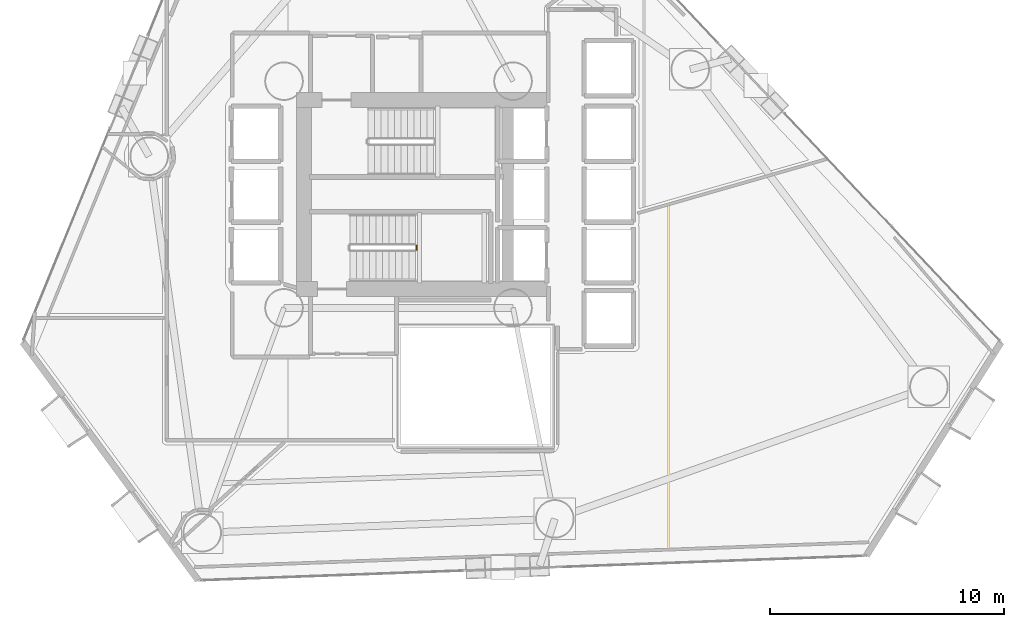
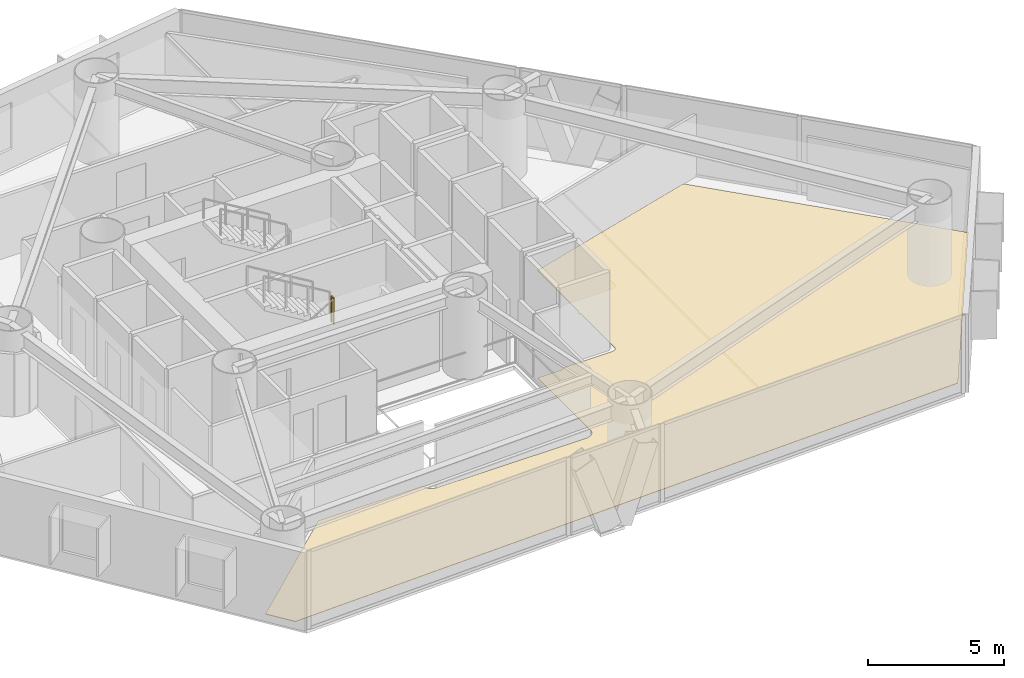
# One storey, part 21 of 23: 1 covering, 1 railing.
"""IFC4 building model written with IfcOpenShell, lengths in metres."""

from ifc_helpers import new_model, si_unit, direction, frame, origin, origin_2d, place, context, subcontext, project, spatial, polyline, rectangle, outline, extrude, material, layer, layer_set, type_object, element, save


model = new_model("IFC4")

# Units and contexts
model_context = context("Model", 3, precision=1e-05, world=origin(), true_north=direction((0.0, 1.0)))
body_context = subcontext(model_context, "Body", "Model", "MODEL_VIEW")
ifc_project = project(units=[si_unit("LENGTHUNIT", "METRE"), si_unit("AREAUNIT", "SQUARE_METRE"), si_unit("VOLUMEUNIT", "CUBIC_METRE"), si_unit("PLANEANGLEUNIT", "RADIAN"), si_unit("MASSUNIT", "GRAM", prefix="KILO")], contexts=[model_context])

# Site, building, storey
site_placement = place(None, origin())
site = spatial("IfcSite", under=ifc_project, at=site_placement, CompositionType="ELEMENT")
building_placement = place(site_placement, origin())
building = spatial("IfcBuilding", under=site, at=building_placement, Name="Qianvela Tower", CompositionType="ELEMENT")
storey_placement = place(building_placement, frame((0.0, 0.0, 52.5)))
storey = spatial("IfcBuildingStorey", under=building, at=storey_placement, Name="L12", CompositionType="ELEMENT", Elevation=52.5)

# Covering
ifc_material_1 = material(Name="Engineered Acoustic Oak Timber Flooring", Category="wood")
ifc_layer = layer(ifc_material_1, 0.02001953125)
ifc_layer_set = layer_set([ifc_layer], Name="Engineered Acoustic Oak Timber Flooring")
covering_type = type_object("IfcCoveringType", Name="COV-FLOOR-OAK-20", PredefinedType="FLOORING", material=ifc_layer_set)
covering_placement = place(storey_placement, origin())
element("IfcCovering", 1, at=covering_placement, inside=storey, type_object=covering_type, Name="L12 Finish Flooring Student Reading Library L12-02", PredefinedType="FLOORING", context=body_context, shape_type="SweptSolid", body=[
    extrude(outline(polyline([(24.10400390625, 13.774169921875), (28.786376953125, 17.989990234375), (33.24609375, 17.989990234375), (33.252197265625, 17.912353515625), (33.25341796875, 17.904296875), (33.25537109375, 17.896240234375), (33.258056640625, 17.888427734375), (33.261474609375, 17.881103515625), (33.31298828125, 17.78466796875), (33.31689453125, 17.77783203125), (33.32177734375, 17.771484375), (33.326904296875, 17.765869140625), (33.332763671875, 17.760498046875), (33.417236328125, 17.691162109375), (33.42431640625, 17.68603515625), (33.431884765625, 17.681640625), (33.440185546875, 17.677978515625), (33.448486328125, 17.675537109375), (33.58056640625, 17.642333984375), (33.5869140625, 17.64111328125), (33.593505859375, 17.640380859375), (33.60009765625, 17.639892578125), (40.0, 17.639892578125), (40.0078125, 17.640380859375), (40.015625, 17.6416015625), (40.023193359375, 17.643310546875), (40.1787109375, 17.690673828125), (40.185546875, 17.693115234375), (40.192138671875, 17.696044921875), (40.198486328125, 17.69970703125), (40.204345703125, 17.70361328125), (40.209716796875, 17.70849609375), (40.21484375, 17.71337890625), (40.30615234375, 17.814208984375), (40.311279296875, 17.8203125), (40.315673828125, 17.826904296875), (40.3193359375, 17.833740234375), (40.322265625, 17.841064453125), (40.324462890625, 17.8486328125), (40.357666015625, 17.980712890625), (40.35888671875, 17.987060546875), (40.359619140625, 17.993408203125), (40.360107421875, 18.0), (40.360107421875, 21.889892578125), (41.367919921875, 21.890380859375), (41.375732421875, 21.890869140625), (41.383544921875, 21.891845703125), (41.39111328125, 21.893798828125), (41.3984375, 21.896484375), (41.405517578125, 21.89990234375), (41.45947265625, 21.9287109375), (41.46630859375, 21.932861328125), (41.472900390625, 21.9375), (41.478759765625, 21.943115234375), (41.48388671875, 21.948974609375), (41.48876953125, 21.955322265625), (41.492919921875, 21.96240234375), (41.49609375, 21.969482421875), (41.498779296875, 21.97705078125), (41.49951171875, 21.97998046875), (43.59375, 21.980712890625), (43.6015625, 21.981201171875), (43.609375, 21.982177734375), (43.616943359375, 21.984130859375), (43.624267578125, 21.98681640625), (43.699462890625, 22.017822265625), (43.70654296875, 22.021240234375), (43.71337890625, 22.025390625), (43.719482421875, 22.02978515625), (43.725341796875, 22.03515625), (43.730712890625, 22.041015625), (43.7353515625, 22.04736328125), (43.780517578125, 22.114990234375), (43.784423828125, 22.12158203125), (43.787841796875, 22.128662109375), (43.79052734375, 22.135986328125), (43.79248046875, 22.1435546875), (43.793701171875, 22.1513671875), (43.7939453125, 22.1591796875), (43.800048828125, 24.599853515625), (43.7998046875, 24.606689453125), (43.798828125, 24.613525390625), (43.79736328125, 24.620361328125), (43.79541015625, 24.626953125), (43.763427734375, 24.7158203125), (43.760498046875, 24.722900390625), (43.7568359375, 24.72998046875), (43.75244140625, 24.736572265625), (43.74755859375, 24.742431640625), (43.741943359375, 24.748046875), (43.736083984375, 24.7529296875), (43.740966796875, 24.755615234375), (43.747314453125, 24.760498046875), (43.7529296875, 24.765625), (43.75830078125, 24.771484375), (43.762939453125, 24.77783203125), (43.76708984375, 24.784423828125), (43.770263671875, 24.79150390625), (43.77294921875, 24.799072265625), (43.796630859375, 24.876708984375), (43.798583984375, 24.884521484375), (43.799560546875, 24.89208984375), (43.800048828125, 24.89990234375), (43.800048828125, 27.300048828125), (43.799560546875, 27.30810546875), (43.79833984375, 27.31591796875), (43.79638671875, 27.323486328125), (43.793701171875, 27.3310546875), (43.765625, 27.397705078125), (43.79150390625, 27.45166015625), (43.794189453125, 27.458251953125), (43.79638671875, 27.465087890625), (43.798095703125, 27.471923828125), (43.799072265625, 27.47900390625), (43.79931640625, 27.486083984375), (43.7998046875, 27.86669921875), (51.22607421875, 29.99609375), (58.750244140625, 22.04150390625), (53.58984375, 13.866943359375), (24.8173828125, 12.805419921875), (24.10400390625, 13.774169921875)])), origin(), (0.0, 0.0, 1.0), 0.02001953125),
])

# Railing
ifc_material_2 = material(Name="Painted Tubular Steel Q355B", Category="steel")
railing_type = type_object("IfcRailingType", Name="RL-STAIR-GUARD-1200", PredefinedType="GUARDRAIL", material=ifc_material_2)
railing_placement = place(storey_placement, frame((34.27001953125, 26.35009765625, 1.85009765625)))
element("IfcRailing", 2, at=railing_placement, inside=storey, type_object=railing_type, Name="L12 ST-2 stair guard 2", PredefinedType="GUARDRAIL", context=body_context, shape_type="SweptSolid", body=[
    extrude(rectangle(XDim=0.050048828125, YDim=0.0400390625, at=origin_2d()), frame((0.0, 0.0, 1.179931640625), z_axis=(0.0, 1.0, 0.0), x_axis=(-1.0, 0.0, 0.0)), (0.0, 0.0, 1.0), 0.159912109375),
    extrude(rectangle(XDim=0.050048828125, YDim=0.050048828125, at=origin_2d()), origin(), (0.0, 0.0, 1.0), 1.159912109375),
    extrude(rectangle(XDim=0.050048828125, YDim=0.050048828125, at=origin_2d()), frame((0.0, 0.159912109375, 0.0)), (0.0, 0.0, 1.0), 1.159912109375),
])

save(model, "model.ifc")
